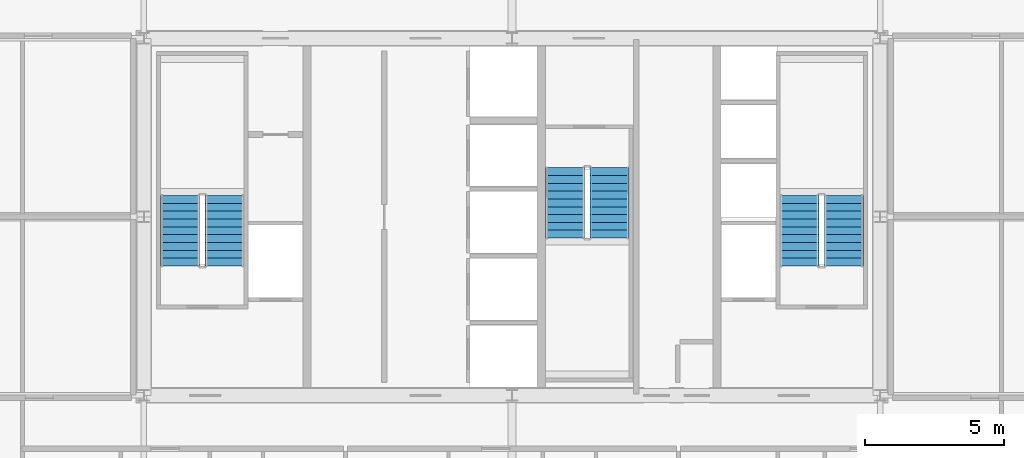
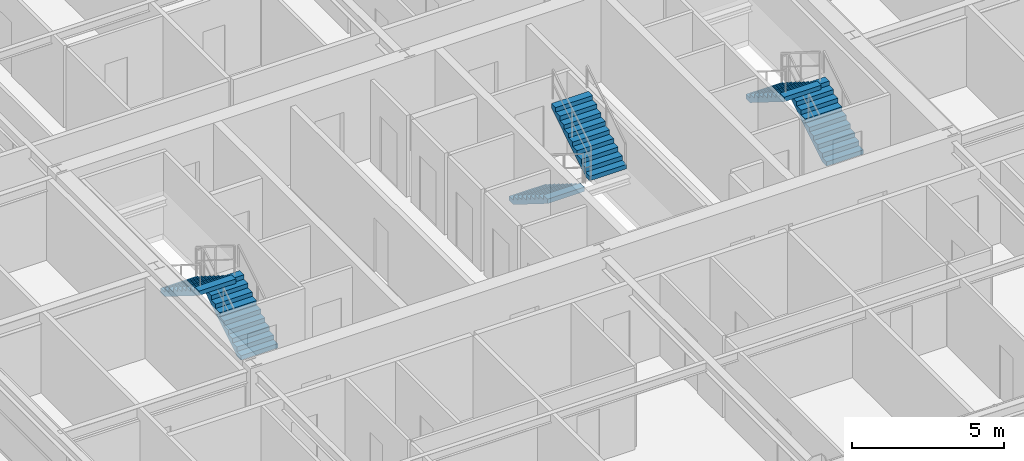
# One storey, part 36 of 37: 6 stair flights, 3 elements without a shape of their own.
"""IFC4 building model written with IfcOpenShell, lengths in metres."""

import ifcopenshell
import ifcopenshell.guid

model = None  # the IFC model being written
_history = None  # IfcOwnerHistory: only IFC2X3 demands one
_inside = {}  # id of a spatial element -> (the spatial element, [elements in it])
_under = {}  # id of a project, library or spatial element -> (it, [spatial elements below it])
_declared = {}  # id of a project -> (the project, [libraries it declares])
_typed = {}  # id of a type object -> (the type object, [elements of that type])
_made_of = {}  # id of a material, layer set ... -> (it, [elements and type objects made of it])


def new_model(schema):
    """Start an empty IFC model of exactly this schema.

    Asked for "IFC4X3", IfcOpenShell would pick the latest addendum, in which some entities
    have other attributes; the version numbers below select the first issue.
    IFC2X3 requires an IfcOwnerHistory on every rooted entity: one is made here for all.
    """
    global model, _history
    if schema == "IFC4X3":
        model = ifcopenshell.file(schema_version=(4, 3, 0, 0))
    else:
        model = ifcopenshell.file(schema=schema)
    _inside.clear()
    _under.clear()
    _declared.clear()
    _typed.clear()
    _made_of.clear()
    _history = None
    if model.schema == "IFC2X3":
        org = make("IfcOrganization", Name="unknown")
        user = make(
            "IfcPersonAndOrganization",
            ThePerson=make("IfcPerson", FamilyName="unknown"),
            TheOrganization=org,
        )
        app = make(
            "IfcApplication",
            ApplicationDeveloper=org,
            Version="unknown",
            ApplicationFullName="unknown",
            ApplicationIdentifier="unknown",
        )
        _history = make(
            "IfcOwnerHistory",
            OwningUser=user,
            OwningApplication=app,
            ChangeAction="ADDED",
            CreationDate=0,
        )
    return model


def make(cls, **values):
    """One entity of the class cls with the attributes given. An attribute that is None is left unset."""
    return model.create_entity(
        cls, **{name: value for name, value in values.items() if value is not None}
    )


def rooted(cls, **values):
    """An entity with a GlobalId (a new one), such as an element, a storey or a relation."""
    return make(cls, GlobalId=ifcopenshell.guid.new(), OwnerHistory=_history, **values)


def si_unit(unit_type, name, prefix=None):
    """IfcSIUnit, for example si_unit("LENGTHUNIT", "METRE", prefix="MILLI")."""
    return make("IfcSIUnit", UnitType=unit_type, Prefix=prefix, Name=name)


def assignment(units):
    """IfcUnitAssignment: the units of a project."""
    return None if units is None else make("IfcUnitAssignment", Units=units)


def point(xyz):
    """IfcCartesianPoint."""
    return None if xyz is None else make("IfcCartesianPoint", Coordinates=xyz)


def direction(xyz):
    """IfcDirection."""
    return None if xyz is None else make("IfcDirection", DirectionRatios=xyz)


def frame(location, z_axis=None, x_axis=None):
    """IfcAxis2Placement3D, a coordinate frame: its origin and axes. An axis left out is left unset."""
    return make(
        "IfcAxis2Placement3D",
        Location=point(location),
        Axis=direction(z_axis),
        RefDirection=direction(x_axis),
    )


def origin():
    """The frame at (0, 0, 0) with its axes left unset."""
    return frame((0.0, 0.0, 0.0))


def place(relative_to, where):
    """IfcLocalPlacement: puts the frame where relative to a parent placement (None: the world)."""
    return make(
        "IfcLocalPlacement", PlacementRelTo=relative_to, RelativePlacement=where
    )


def context(
    kind, dimensions, precision=None, world=None, true_north=None, identifier=None
):
    """IfcGeometricRepresentationContext, for example the 3D "Model" context."""
    return make(
        "IfcGeometricRepresentationContext",
        ContextIdentifier=identifier,
        ContextType=kind,
        CoordinateSpaceDimension=dimensions,
        Precision=precision,
        WorldCoordinateSystem=world,
        TrueNorth=true_north,
    )


def subcontext(parent, identifier, kind, view, scale=None):
    """IfcGeometricRepresentationSubContext, for example "Body" below "Model"."""
    return make(
        "IfcGeometricRepresentationSubContext",
        ContextIdentifier=identifier,
        ContextType=kind,
        ParentContext=parent,
        TargetScale=scale,
        TargetView=view,
    )


def project(units=None, contexts=None):
    """IfcProject with its units and contexts."""
    return rooted(
        "IfcProject",
        Name="project",
        RepresentationContexts=contexts,
        UnitsInContext=assignment(units),
    )


def spatial(cls, under=None, at=None, **own):
    """A site, building, storey or space (cls), placed at a placement, below another one or the project."""
    s = rooted(cls, ObjectPlacement=at, **own)
    if under is not None:
        _under.setdefault(under.id(), (under, []))[1].append(s)
    return s


def polyline(points):
    """IfcPolyline through the points."""
    return make("IfcPolyline", Points=[point(p) for p in points])


def outline(outer, holes=None, kind="AREA"):
    """IfcArbitraryClosedProfileDef: a profile drawn as a closed curve; with holes, ...WithVoids."""
    if holes is None:
        return make("IfcArbitraryClosedProfileDef", ProfileType=kind, OuterCurve=outer)
    return make(
        "IfcArbitraryProfileDefWithVoids",
        ProfileType=kind,
        OuterCurve=outer,
        InnerCurves=holes,
    )


def extrude(swept, where, along, depth):
    """IfcExtrudedAreaSolid: the profile swept, set in the frame where, extruded along a direction by depth."""
    return make(
        "IfcExtrudedAreaSolid",
        SweptArea=swept,
        Position=where,
        ExtrudedDirection=direction(along),
        Depth=depth,
    )


def shape(context_of_items, identifier, shape_type, items):
    """IfcShapeRepresentation: the items that make up one representation, for example the "Body"."""
    return make(
        "IfcShapeRepresentation",
        ContextOfItems=context_of_items,
        RepresentationIdentifier=identifier,
        RepresentationType=shape_type,
        Items=items,
    )


def source(mapping_origin, context_of_items, identifier, shape_type, items):
    """IfcRepresentationMap: a shape defined once, which mapped items show again and again."""
    return make(
        "IfcRepresentationMap",
        MappingOrigin=mapping_origin,
        MappedRepresentation=shape(context_of_items, identifier, shape_type, items),
    )


def transform(
    local_origin,
    x_axis=None,
    y_axis=None,
    z_axis=None,
    scale=None,
    scale2=None,
    scale3=None,
    uniform=True,
):
    """IfcCartesianTransformationOperator3D, or its non-uniform kind. x_axis, y_axis, z_axis: its Axis1, 2, 3."""
    if uniform:
        return make(
            "IfcCartesianTransformationOperator3D",
            Axis1=direction(x_axis),
            Axis2=direction(y_axis),
            LocalOrigin=point(local_origin),
            Scale=scale,
            Axis3=direction(z_axis),
        )
    return make(
        "IfcCartesianTransformationOperator3DnonUniform",
        Axis1=direction(x_axis),
        Axis2=direction(y_axis),
        LocalOrigin=point(local_origin),
        Scale=scale,
        Axis3=direction(z_axis),
        Scale2=scale2,
        Scale3=scale3,
    )


def mapped(mapping_source, mapping_target):
    """IfcMappedItem: shows the shape of a source again, moved by a transform."""
    return make(
        "IfcMappedItem", MappingSource=mapping_source, MappingTarget=mapping_target
    )


def material(Name=None, Category=None):
    """IfcMaterial."""
    return make("IfcMaterial", Name=Name, Category=Category)


def made_of(thing, what):
    """Note that an element or type object is made of a material, layer set ...; save() writes the relation."""
    if what is not None:
        _made_of.setdefault(what.id(), (what, []))[1].append(thing)
    return thing


def type_object(cls, material=None, **own):
    """A type object (cls), such as IfcWallType, which elements share."""
    return made_of(rooted(cls, **own), material)


def element(
    cls,
    number,
    at=None,
    inside=None,
    cuts=None,
    type_object=None,
    material=None,
    context=None,
    identifier="Body",
    shape_type=None,
    held_by="IfcProductDefinitionShape",
    body=None,
    shapes=None,
    **own,
):
    """One element of the class cls, such as IfcWall. Its Tag is "e" and its number.

    at: its placement. inside: the storey or other place that contains it. cuts: it is an
    opening in that element (IfcRelVoidsElement). A single representation is given by context,
    identifier, shape_type and body (its items); several are given by shapes. held_by: the class
    of the entity that holds the representations. save() writes the other relations.
    """
    e = rooted(cls, Tag="e%d" % number, ObjectPlacement=at, **own)
    if body is not None:
        shapes = [shape(context, identifier, shape_type, body)]
    if shapes is not None:
        e.Representation = make(held_by, Representations=shapes)
    if inside is not None:
        _inside.setdefault(inside.id(), (inside, []))[1].append(e)
    if cuts is not None:
        rooted(
            "IfcRelVoidsElement", RelatingBuildingElement=cuts, RelatedOpeningElement=e
        )
    if type_object is not None:
        _typed.setdefault(type_object.id(), (type_object, []))[1].append(e)
    return made_of(e, material)


def aggregate(whole, parts):
    """IfcRelAggregates: a whole, such as a stair, and the parts it consists of."""
    return rooted("IfcRelAggregates", RelatingObject=whole, RelatedObjects=parts)


def save(model, path):
    """Write the relations noted so far, then the file.

    IfcRelAggregates (storeys below a building ...), IfcRelContainedInSpatialStructure (elements
    in a storey), IfcRelDefinesByType, IfcRelAssociatesMaterial and IfcRelDeclares: one each for
    every whole, place, type object, material and project.
    """
    for whole, parts in _under.values():
        aggregate(whole, parts)
    for where, things in _inside.values():
        rooted(
            "IfcRelContainedInSpatialStructure",
            RelatedElements=things,
            RelatingStructure=where,
        )
    for kind, things in _typed.values():
        rooted("IfcRelDefinesByType", RelatedObjects=things, RelatingType=kind)
    for what, things in _made_of.values():
        rooted("IfcRelAssociatesMaterial", RelatedObjects=things, RelatingMaterial=what)
    for by, libraries in _declared.values():
        rooted("IfcRelDeclares", RelatingContext=by, RelatedDefinitions=libraries)
    model.write(path)


model = new_model("IFC4")

# Units and contexts
model_context = context("Model", 3, precision=1e-05, world=origin(), true_north=direction((0.0, 1.0)))
body_context = subcontext(model_context, "Body", "Model", "MODEL_VIEW")
ifc_project = project(units=[si_unit("LENGTHUNIT", "METRE"), si_unit("AREAUNIT", "SQUARE_METRE"), si_unit("VOLUMEUNIT", "CUBIC_METRE"), si_unit("PLANEANGLEUNIT", "RADIAN"), si_unit("MASSUNIT", "GRAM", prefix="KILO"), si_unit("THERMODYNAMICTEMPERATUREUNIT", "KELVIN"), si_unit("POWERUNIT", "WATT")], contexts=[model_context])

# Site, building, storey
site_placement = place(None, origin())
site = spatial("IfcSite", under=ifc_project, at=site_placement, CompositionType="ELEMENT")
building_placement = place(site_placement, origin())
building = spatial("IfcBuilding", under=site, at=building_placement, Name="Yuzanri Waterfront Tower", CompositionType="ELEMENT")
storey_placement = place(building_placement, frame((0.0, 0.0, 252.10009765625)))
storey = spatial("IfcBuildingStorey", under=building, at=storey_placement, Name="L67", CompositionType="ELEMENT", Elevation=252.10009765625)

# Stair, stair flights
ifc_material_1 = material(Name="Concrete C40", Category="concrete")
stair_type = type_object("IfcStairType", Name="Concrete C40 Core Dogleg Exit Stair", PredefinedType="HALF_TURN_STAIR", material=ifc_material_1)
stair_1_placement = place(storey_placement, origin())
stair_1 = element("IfcStair", 1, at=stair_1_placement, inside=storey, type_object=stair_type, Name="L67 Smoke-Proof Core Stair ST-01", PredefinedType="HALF_TURN_STAIR")
ifc_material_2 = material(Name="Concrete C40", Category="concrete")
stair_flight_type = type_object("IfcStairFlightType", Name="Concrete C40 Precast Stair Flight 1380", PredefinedType="STRAIGHT", material=ifc_material_2)
shared_shape = source(origin(), body_context, "Body", "SweptSolid", [
    extrude(outline(polyline([(0.0, 0.0), (0.0, 0.175048828125), (0.280029296875, 0.175048828125), (0.280029296875, 0.35009765625), (0.56005859375, 0.35009765625), (0.56005859375, 0.52490234375), (0.840087890625, 0.52490234375), (0.840087890625, 0.699951171875), (1.1201171875, 0.699951171875), (1.1201171875, 0.875), (1.39990234375, 0.875), (1.39990234375, 1.050048828125), (1.679931640625, 1.050048828125), (1.679931640625, 1.22509765625), (1.9599609375, 1.22509765625), (1.9599609375, 1.39990234375), (2.239990234375, 1.39990234375), (2.239990234375, 1.574951171875), (2.52001953125, 1.574951171875), (2.52001953125, 1.75), (2.52001953125, 1.398193359375), (0.28271484375, 0.0), (0.0, 0.0)])), frame((0.0, 0.699951171875, 0.0), z_axis=(0.0, -1.0, 0.0), x_axis=(1.0, 0.0, 0.0)), (0.0, 0.0, 1.0), 1.39990234375),
])
stair_flight_1_placement = place(storey_placement, frame((26.699951171875, 24.0400390625, 0.0), z_axis=(0.0, 0.0, 1.0), x_axis=(0.0, 1.0, 0.0)))
stair_flight_1 = element("IfcStairFlight", 2, at=stair_flight_1_placement, type_object=stair_flight_type, Name="ST-01 flight 1", NumberOfRisers=10, NumberOfTreads=9, PredefinedType="STRAIGHT", RiserHeight=0.175, TreadLength=0.28, context=body_context, shape_type="MappedRepresentation", body=[
    mapped(shared_shape, transform((0.0, 0.0, 0.0), scale=1.0)),
])
stair_flight_2_placement = place(storey_placement, frame((25.10009765625, 26.56005859375, 1.75), z_axis=(0.0, 0.0, 1.0), x_axis=(0.0, -1.0, 0.0)))
stair_flight_2 = element("IfcStairFlight", 3, at=stair_flight_2_placement, type_object=stair_flight_type, Name="ST-01 flight 2", NumberOfRisers=10, NumberOfTreads=9, PredefinedType="STRAIGHT", RiserHeight=0.175, TreadLength=0.28, context=body_context, shape_type="MappedRepresentation", body=[
    mapped(shared_shape, transform((0.0, 0.0, 0.0), scale=1.0)),
])
aggregate(stair_1, [stair_flight_1, stair_flight_2])

stair_2_placement = place(storey_placement, origin())
stair_2 = element("IfcStair", 4, at=stair_2_placement, inside=storey, type_object=stair_type, Name="L67 Smoke-Proof Core Stair ST-02", PredefinedType="HALF_TURN_STAIR")
stair_flight_3_placement = place(storey_placement, frame((48.89990234375, 24.0400390625, 0.0), z_axis=(0.0, 0.0, 1.0), x_axis=(0.0, 1.0, 0.0)))
stair_flight_3 = element("IfcStairFlight", 5, at=stair_flight_3_placement, type_object=stair_flight_type, Name="ST-02 flight 1", NumberOfRisers=10, NumberOfTreads=9, PredefinedType="STRAIGHT", RiserHeight=0.175, TreadLength=0.28, context=body_context, shape_type="MappedRepresentation", body=[
    mapped(shared_shape, transform((0.0, 0.0, 0.0), scale=1.0)),
])
stair_flight_4_placement = place(storey_placement, frame((47.300048828125, 26.56005859375, 1.75), z_axis=(0.0, 0.0, 1.0), x_axis=(0.0, -1.0, 0.0)))
stair_flight_4 = element("IfcStairFlight", 6, at=stair_flight_4_placement, type_object=stair_flight_type, Name="ST-02 flight 2", NumberOfRisers=10, NumberOfTreads=9, PredefinedType="STRAIGHT", RiserHeight=0.175, TreadLength=0.28, context=body_context, shape_type="MappedRepresentation", body=[
    mapped(shared_shape, transform((0.0, 0.0, 0.0), scale=1.0)),
])
aggregate(stair_2, [stair_flight_3, stair_flight_4])

stair_3_placement = place(storey_placement, origin())
stair_3 = element("IfcStair", 7, at=stair_3_placement, inside=storey, type_object=stair_type, Name="L67 Smoke-Proof Core Stair ST-03", PredefinedType="HALF_TURN_STAIR")
stair_flight_5_placement = place(storey_placement, frame((38.89990234375, 27.56005859375, 0.0), z_axis=(0.0, 0.0, 1.0), x_axis=(0.0, -1.0, 0.0)))
stair_flight_5 = element("IfcStairFlight", 8, at=stair_flight_5_placement, type_object=stair_flight_type, Name="ST-03 flight 1", NumberOfRisers=10, NumberOfTreads=9, PredefinedType="STRAIGHT", RiserHeight=0.175, TreadLength=0.28, context=body_context, shape_type="MappedRepresentation", body=[
    mapped(shared_shape, transform((0.0, 0.0, 0.0), scale=1.0)),
])
stair_flight_6_placement = place(storey_placement, frame((40.5, 25.0400390625, 1.75), z_axis=(0.0, 0.0, 1.0), x_axis=(0.0, 1.0, 0.0)))
stair_flight_6 = element("IfcStairFlight", 9, at=stair_flight_6_placement, type_object=stair_flight_type, Name="ST-03 flight 2", NumberOfRisers=10, NumberOfTreads=9, PredefinedType="STRAIGHT", RiserHeight=0.175, TreadLength=0.28, context=body_context, shape_type="MappedRepresentation", body=[
    mapped(shared_shape, transform((0.0, 0.0, 0.0), scale=1.0)),
])
aggregate(stair_3, [stair_flight_5, stair_flight_6])

save(model, "model.ifc")
